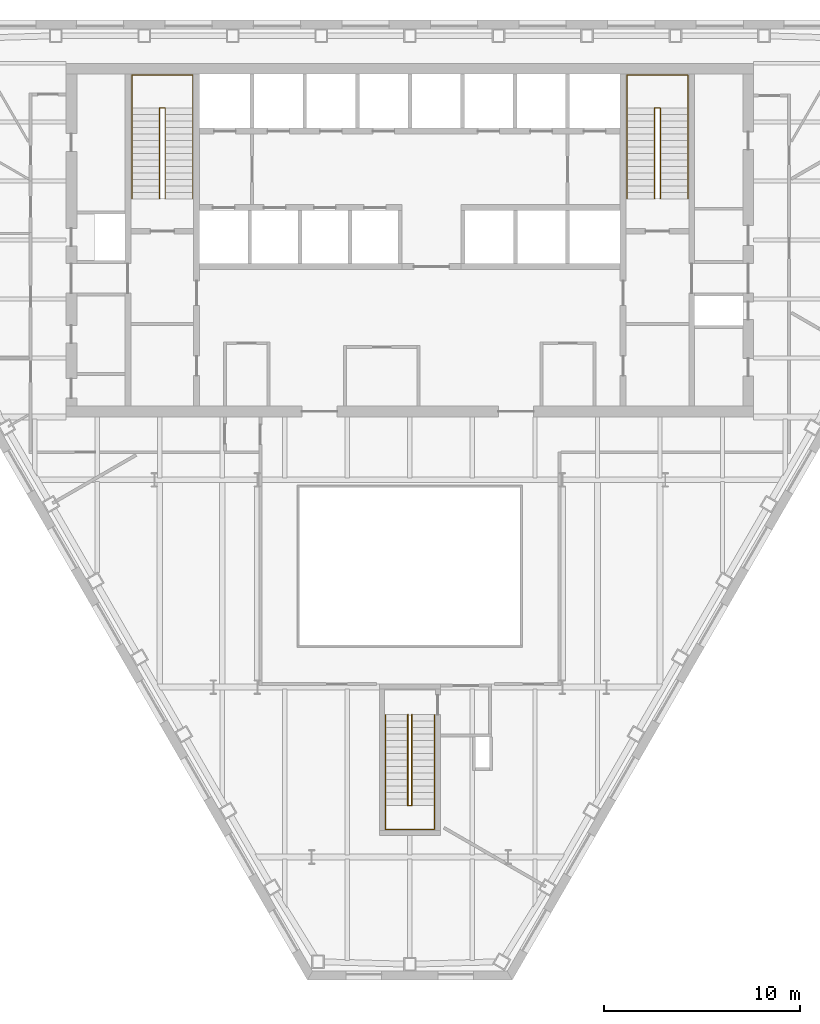
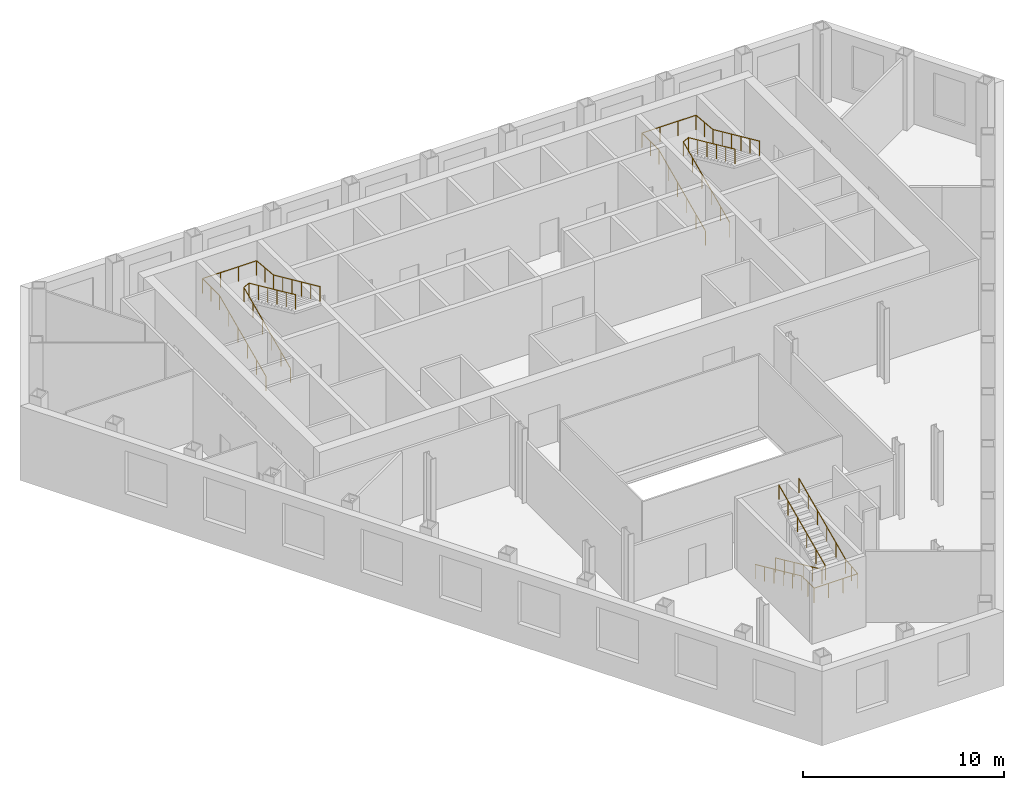
# One storey, part 11 of 11: 6 railings.
"""IFC4 building model written with IfcOpenShell, lengths in metres."""

from ifc_helpers import new_model, si_unit, direction, frame, origin, origin_2d, place, context, subcontext, project, spatial, circle, extrude, material, type_object, element, save


model = new_model("IFC4")

# Units and contexts
model_context = context("Model", 3, precision=1e-05, world=origin(), true_north=direction((0.0, 1.0)))
body_context = subcontext(model_context, "Body", "Model", "MODEL_VIEW")
ifc_project = project(units=[si_unit("LENGTHUNIT", "METRE"), si_unit("AREAUNIT", "SQUARE_METRE"), si_unit("VOLUMEUNIT", "CUBIC_METRE"), si_unit("PLANEANGLEUNIT", "RADIAN"), si_unit("MASSUNIT", "GRAM", prefix="KILO")], contexts=[model_context])

# Site, building, storey
site_placement = place(None, origin())
site = spatial("IfcSite", under=ifc_project, at=site_placement, CompositionType="ELEMENT")
building_placement = place(site_placement, origin())
building = spatial("IfcBuilding", under=site, at=building_placement, Name="Njiva Tower", CompositionType="ELEMENT")
storey_placement = place(building_placement, frame((0.0, 0.0, 88.8)))
storey = spatial("IfcBuildingStorey", under=building, at=storey_placement, Name="L18", CompositionType="ELEMENT", Elevation=88.8)

# Railings
ifc_material = material(Name="Stainless steel", Category="steel")
railing_type = type_object("IfcRailingType", Name="RL1 Stair handrail 900", PredefinedType="HANDRAIL", material=ifc_material)
railing_1_placement = place(storey_placement, frame((-14.15, 11.1, 0.15)))
element("IfcRailing", 1, at=railing_1_placement, inside=storey, type_object=railing_type, Name="Stair A handrail", PredefinedType="HANDRAIL", context=body_context, shape_type="SweptSolid", body=[
    extrude(circle(Radius=0.024, at=origin_2d()), frame((0.0, 0.0, 0.876), z_axis=(0.0, 0.910366477463, 0.413802944301), x_axis=(-1.0, 0.0, 0.0)), (0.0, 0.0, 1.0), 5.0749),
    extrude(circle(Radius=0.024, at=origin_2d()), frame((0.0, 4.62, 2.976), z_axis=(0.0, 1.0, 0.0), x_axis=(-1.0, 0.0, 0.0)), (0.0, 0.0, 1.0), 1.68),
    extrude(circle(Radius=0.024, at=origin_2d()), frame((0.0, 6.3, 2.976), z_axis=(1.0, 0.0, 0.0), x_axis=(0.0, 1.0, 0.0)), (0.0, 0.0, 1.0), 3.1),
    extrude(circle(Radius=0.024, at=origin_2d()), frame((3.1, 6.3, 2.976), z_axis=(0.0, -0.996037705314, 0.088931937975), x_axis=(1.0, 0.0, 0.0)), (0.0, 0.0, 1.0), 1.6867),
    extrude(circle(Radius=0.024, at=origin_2d()), frame((3.1, 4.62, 3.126), z_axis=(0.0, -0.910366477463, 0.413802944301), x_axis=(1.0, 0.0, 0.0)), (0.0, 0.0, 1.0), 5.0749),
    extrude(circle(Radius=0.021, at=origin_2d()), origin(), (0.0, 0.0, 1.0), 0.852),
    extrude(circle(Radius=0.021, at=origin_2d()), frame((0.0, 0.924, 0.42)), (0.0, 0.0, 1.0), 0.852),
    extrude(circle(Radius=0.021, at=origin_2d()), frame((0.0, 1.848, 0.84)), (0.0, 0.0, 1.0), 0.852),
    extrude(circle(Radius=0.021, at=origin_2d()), frame((0.0, 2.772, 1.26)), (0.0, 0.0, 1.0), 0.852),
    extrude(circle(Radius=0.021, at=origin_2d()), frame((0.0, 3.696, 1.68)), (0.0, 0.0, 1.0), 0.852),
    extrude(circle(Radius=0.021, at=origin_2d()), frame((0.0, 4.62, 2.1)), (0.0, 0.0, 1.0), 0.852),
    extrude(circle(Radius=0.021, at=origin_2d()), frame((0.0, 5.46, 2.1)), (0.0, 0.0, 1.0), 0.852),
    extrude(circle(Radius=0.021, at=origin_2d()), frame((0.0, 6.3, 2.1)), (0.0, 0.0, 1.0), 0.852),
    extrude(circle(Radius=0.021, at=origin_2d()), frame((1.0333, 6.3, 2.1)), (0.0, 0.0, 1.0), 0.852),
    extrude(circle(Radius=0.021, at=origin_2d()), frame((2.0667, 6.3, 2.1)), (0.0, 0.0, 1.0), 0.852),
    extrude(circle(Radius=0.021, at=origin_2d()), frame((3.1, 6.3, 2.1)), (0.0, 0.0, 1.0), 0.852),
    extrude(circle(Radius=0.021, at=origin_2d()), frame((3.1, 5.46, 2.175)), (0.0, 0.0, 1.0), 0.852),
    extrude(circle(Radius=0.021, at=origin_2d()), frame((3.1, 4.62, 2.25)), (0.0, 0.0, 1.0), 0.852),
    extrude(circle(Radius=0.021, at=origin_2d()), frame((3.1, 3.696, 2.67)), (0.0, 0.0, 1.0), 0.852),
    extrude(circle(Radius=0.021, at=origin_2d()), frame((3.1, 2.772, 3.09)), (0.0, 0.0, 1.0), 0.852),
    extrude(circle(Radius=0.021, at=origin_2d()), frame((3.1, 1.848, 3.51)), (0.0, 0.0, 1.0), 0.852),
    extrude(circle(Radius=0.021, at=origin_2d()), frame((3.1, 0.924, 3.93)), (0.0, 0.0, 1.0), 0.852),
    extrude(circle(Radius=0.021, at=origin_2d()), frame((3.1, 0.0, 4.35)), (0.0, 0.0, 1.0), 0.852),
])
railing_2_placement = place(storey_placement, frame((-12.75, 11.1, 0.15)))
element("IfcRailing", 2, at=railing_2_placement, inside=storey, type_object=railing_type, Name="Stair A handrail", PredefinedType="HANDRAIL", context=body_context, shape_type="SweptSolid", body=[
    extrude(circle(Radius=0.024, at=origin_2d()), frame((0.0, 0.0, 0.876), z_axis=(0.0, 0.910366477463, 0.413802944301), x_axis=(-1.0, 0.0, 0.0)), (0.0, 0.0, 1.0), 5.0749),
    extrude(circle(Radius=0.024, at=origin_2d()), frame((0.0, 4.62, 2.976), z_axis=(0.894427191, 0.0, 0.4472135955), x_axis=(0.0, 1.0, 0.0)), (0.0, 0.0, 1.0), 0.3354),
    extrude(circle(Radius=0.024, at=origin_2d()), frame((0.3, 4.62, 3.126), z_axis=(0.0, -0.910366477463, 0.413802944301), x_axis=(1.0, 0.0, 0.0)), (0.0, 0.0, 1.0), 5.0749),
    extrude(circle(Radius=0.021, at=origin_2d()), origin(), (0.0, 0.0, 1.0), 0.852),
    extrude(circle(Radius=0.021, at=origin_2d()), frame((0.0, 0.924, 0.42)), (0.0, 0.0, 1.0), 0.852),
    extrude(circle(Radius=0.021, at=origin_2d()), frame((0.0, 1.848, 0.84)), (0.0, 0.0, 1.0), 0.852),
    extrude(circle(Radius=0.021, at=origin_2d()), frame((0.0, 2.772, 1.26)), (0.0, 0.0, 1.0), 0.852),
    extrude(circle(Radius=0.021, at=origin_2d()), frame((0.0, 3.696, 1.68)), (0.0, 0.0, 1.0), 0.852),
    extrude(circle(Radius=0.021, at=origin_2d()), frame((0.0, 4.62, 2.1)), (0.0, 0.0, 1.0), 0.852),
    extrude(circle(Radius=0.021, at=origin_2d()), frame((0.3, 4.62, 2.25)), (0.0, 0.0, 1.0), 0.852),
    extrude(circle(Radius=0.021, at=origin_2d()), frame((0.3, 3.696, 2.67)), (0.0, 0.0, 1.0), 0.852),
    extrude(circle(Radius=0.021, at=origin_2d()), frame((0.3, 2.772, 3.09)), (0.0, 0.0, 1.0), 0.852),
    extrude(circle(Radius=0.021, at=origin_2d()), frame((0.3, 1.848, 3.51)), (0.0, 0.0, 1.0), 0.852),
    extrude(circle(Radius=0.021, at=origin_2d()), frame((0.3, 0.924, 3.93)), (0.0, 0.0, 1.0), 0.852),
    extrude(circle(Radius=0.021, at=origin_2d()), frame((0.3, 0.0, 4.35)), (0.0, 0.0, 1.0), 0.852),
])
railing_3_placement = place(storey_placement, frame((11.05, 11.1, 0.15)))
element("IfcRailing", 3, at=railing_3_placement, inside=storey, type_object=railing_type, Name="Stair B handrail", PredefinedType="HANDRAIL", context=body_context, shape_type="SweptSolid", body=[
    extrude(circle(Radius=0.024, at=origin_2d()), frame((0.0, 0.0, 0.876), z_axis=(0.0, 0.910366477463, 0.413802944301), x_axis=(-1.0, 0.0, 0.0)), (0.0, 0.0, 1.0), 5.0749),
    extrude(circle(Radius=0.024, at=origin_2d()), frame((0.0, 4.62, 2.976), z_axis=(0.0, 1.0, 0.0), x_axis=(-1.0, 0.0, 0.0)), (0.0, 0.0, 1.0), 1.68),
    extrude(circle(Radius=0.024, at=origin_2d()), frame((0.0, 6.3, 2.976), z_axis=(1.0, 0.0, 0.0), x_axis=(0.0, 1.0, 0.0)), (0.0, 0.0, 1.0), 3.1),
    extrude(circle(Radius=0.024, at=origin_2d()), frame((3.1, 6.3, 2.976), z_axis=(0.0, -0.996037705314, 0.088931937975), x_axis=(1.0, 0.0, 0.0)), (0.0, 0.0, 1.0), 1.6867),
    extrude(circle(Radius=0.024, at=origin_2d()), frame((3.1, 4.62, 3.126), z_axis=(0.0, -0.910366477463, 0.413802944301), x_axis=(1.0, 0.0, 0.0)), (0.0, 0.0, 1.0), 5.0749),
    extrude(circle(Radius=0.021, at=origin_2d()), origin(), (0.0, 0.0, 1.0), 0.852),
    extrude(circle(Radius=0.021, at=origin_2d()), frame((0.0, 0.924, 0.42)), (0.0, 0.0, 1.0), 0.852),
    extrude(circle(Radius=0.021, at=origin_2d()), frame((0.0, 1.848, 0.84)), (0.0, 0.0, 1.0), 0.852),
    extrude(circle(Radius=0.021, at=origin_2d()), frame((0.0, 2.772, 1.26)), (0.0, 0.0, 1.0), 0.852),
    extrude(circle(Radius=0.021, at=origin_2d()), frame((0.0, 3.696, 1.68)), (0.0, 0.0, 1.0), 0.852),
    extrude(circle(Radius=0.021, at=origin_2d()), frame((0.0, 4.62, 2.1)), (0.0, 0.0, 1.0), 0.852),
    extrude(circle(Radius=0.021, at=origin_2d()), frame((0.0, 5.46, 2.1)), (0.0, 0.0, 1.0), 0.852),
    extrude(circle(Radius=0.021, at=origin_2d()), frame((0.0, 6.3, 2.1)), (0.0, 0.0, 1.0), 0.852),
    extrude(circle(Radius=0.021, at=origin_2d()), frame((1.0333, 6.3, 2.1)), (0.0, 0.0, 1.0), 0.852),
    extrude(circle(Radius=0.021, at=origin_2d()), frame((2.0667, 6.3, 2.1)), (0.0, 0.0, 1.0), 0.852),
    extrude(circle(Radius=0.021, at=origin_2d()), frame((3.1, 6.3, 2.1)), (0.0, 0.0, 1.0), 0.852),
    extrude(circle(Radius=0.021, at=origin_2d()), frame((3.1, 5.46, 2.175)), (0.0, 0.0, 1.0), 0.852),
    extrude(circle(Radius=0.021, at=origin_2d()), frame((3.1, 4.62, 2.25)), (0.0, 0.0, 1.0), 0.852),
    extrude(circle(Radius=0.021, at=origin_2d()), frame((3.1, 3.696, 2.67)), (0.0, 0.0, 1.0), 0.852),
    extrude(circle(Radius=0.021, at=origin_2d()), frame((3.1, 2.772, 3.09)), (0.0, 0.0, 1.0), 0.852),
    extrude(circle(Radius=0.021, at=origin_2d()), frame((3.1, 1.848, 3.51)), (0.0, 0.0, 1.0), 0.852),
    extrude(circle(Radius=0.021, at=origin_2d()), frame((3.1, 0.924, 3.93)), (0.0, 0.0, 1.0), 0.852),
    extrude(circle(Radius=0.021, at=origin_2d()), frame((3.1, 0.0, 4.35)), (0.0, 0.0, 1.0), 0.852),
])
railing_4_placement = place(storey_placement, frame((12.45, 11.1, 0.15)))
element("IfcRailing", 4, at=railing_4_placement, inside=storey, type_object=railing_type, Name="Stair B handrail", PredefinedType="HANDRAIL", context=body_context, shape_type="SweptSolid", body=[
    extrude(circle(Radius=0.024, at=origin_2d()), frame((0.0, 0.0, 0.876), z_axis=(0.0, 0.910366477463, 0.413802944301), x_axis=(-1.0, 0.0, 0.0)), (0.0, 0.0, 1.0), 5.0749),
    extrude(circle(Radius=0.024, at=origin_2d()), frame((0.0, 4.62, 2.976), z_axis=(0.894427191, 0.0, 0.4472135955), x_axis=(0.0, 1.0, 0.0)), (0.0, 0.0, 1.0), 0.3354),
    extrude(circle(Radius=0.024, at=origin_2d()), frame((0.3, 4.62, 3.126), z_axis=(0.0, -0.910366477463, 0.413802944301), x_axis=(1.0, 0.0, 0.0)), (0.0, 0.0, 1.0), 5.0749),
    extrude(circle(Radius=0.021, at=origin_2d()), origin(), (0.0, 0.0, 1.0), 0.852),
    extrude(circle(Radius=0.021, at=origin_2d()), frame((0.0, 0.924, 0.42)), (0.0, 0.0, 1.0), 0.852),
    extrude(circle(Radius=0.021, at=origin_2d()), frame((0.0, 1.848, 0.84)), (0.0, 0.0, 1.0), 0.852),
    extrude(circle(Radius=0.021, at=origin_2d()), frame((0.0, 2.772, 1.26)), (0.0, 0.0, 1.0), 0.852),
    extrude(circle(Radius=0.021, at=origin_2d()), frame((0.0, 3.696, 1.68)), (0.0, 0.0, 1.0), 0.852),
    extrude(circle(Radius=0.021, at=origin_2d()), frame((0.0, 4.62, 2.1)), (0.0, 0.0, 1.0), 0.852),
    extrude(circle(Radius=0.021, at=origin_2d()), frame((0.3, 4.62, 2.25)), (0.0, 0.0, 1.0), 0.852),
    extrude(circle(Radius=0.021, at=origin_2d()), frame((0.3, 3.696, 2.67)), (0.0, 0.0, 1.0), 0.852),
    extrude(circle(Radius=0.021, at=origin_2d()), frame((0.3, 2.772, 3.09)), (0.0, 0.0, 1.0), 0.852),
    extrude(circle(Radius=0.021, at=origin_2d()), frame((0.3, 1.848, 3.51)), (0.0, 0.0, 1.0), 0.852),
    extrude(circle(Radius=0.021, at=origin_2d()), frame((0.3, 0.924, 3.93)), (0.0, 0.0, 1.0), 0.852),
    extrude(circle(Radius=0.021, at=origin_2d()), frame((0.3, 0.0, 4.35)), (0.0, 0.0, 1.0), 0.852),
])
railing_5_placement = place(storey_placement, frame((-1.25, -15.16, 0.15)))
element("IfcRailing", 5, at=railing_5_placement, inside=storey, type_object=railing_type, Name="Stair C handrail", PredefinedType="HANDRAIL", context=body_context, shape_type="SweptSolid", body=[
    extrude(circle(Radius=0.024, at=origin_2d()), frame((0.0, 0.0, 0.876), z_axis=(0.0, -0.910366477463, 0.413802944301), x_axis=(1.0, 0.0, 0.0)), (0.0, 0.0, 1.0), 5.0749),
    extrude(circle(Radius=0.024, at=origin_2d()), frame((0.0, -4.62, 2.976), z_axis=(0.0, -1.0, 0.0), x_axis=(1.0, 0.0, 0.0)), (0.0, 0.0, 1.0), 1.22),
    extrude(circle(Radius=0.024, at=origin_2d()), frame((0.0, -5.84, 2.976), z_axis=(1.0, 0.0, 0.0), x_axis=(0.0, 1.0, 0.0)), (0.0, 0.0, 1.0), 2.5),
    extrude(circle(Radius=0.024, at=origin_2d()), frame((2.5, -5.84, 2.976), z_axis=(0.0, 0.992526177815, 0.122031907108), x_axis=(-1.0, 0.0, 0.0)), (0.0, 0.0, 1.0), 1.2292),
    extrude(circle(Radius=0.024, at=origin_2d()), frame((2.5, -4.62, 3.126), z_axis=(0.0, 0.910366477463, 0.413802944301), x_axis=(-1.0, 0.0, 0.0)), (0.0, 0.0, 1.0), 5.0749),
    extrude(circle(Radius=0.021, at=origin_2d()), origin(), (0.0, 0.0, 1.0), 0.852),
    extrude(circle(Radius=0.021, at=origin_2d()), frame((0.0, -0.924, 0.42)), (0.0, 0.0, 1.0), 0.852),
    extrude(circle(Radius=0.021, at=origin_2d()), frame((0.0, -1.848, 0.84)), (0.0, 0.0, 1.0), 0.852),
    extrude(circle(Radius=0.021, at=origin_2d()), frame((0.0, -2.772, 1.26)), (0.0, 0.0, 1.0), 0.852),
    extrude(circle(Radius=0.021, at=origin_2d()), frame((0.0, -3.696, 1.68)), (0.0, 0.0, 1.0), 0.852),
    extrude(circle(Radius=0.021, at=origin_2d()), frame((0.0, -4.62, 2.1)), (0.0, 0.0, 1.0), 0.852),
    extrude(circle(Radius=0.021, at=origin_2d()), frame((0.0, -5.23, 2.1)), (0.0, 0.0, 1.0), 0.852),
    extrude(circle(Radius=0.021, at=origin_2d()), frame((0.0, -5.84, 2.1)), (0.0, 0.0, 1.0), 0.852),
    extrude(circle(Radius=0.021, at=origin_2d()), frame((0.8333, -5.84, 2.1)), (0.0, 0.0, 1.0), 0.852),
    extrude(circle(Radius=0.021, at=origin_2d()), frame((1.6667, -5.84, 2.1)), (0.0, 0.0, 1.0), 0.852),
    extrude(circle(Radius=0.021, at=origin_2d()), frame((2.5, -5.84, 2.1)), (0.0, 0.0, 1.0), 0.852),
    extrude(circle(Radius=0.021, at=origin_2d()), frame((2.5, -5.23, 2.175)), (0.0, 0.0, 1.0), 0.852),
    extrude(circle(Radius=0.021, at=origin_2d()), frame((2.5, -4.62, 2.25)), (0.0, 0.0, 1.0), 0.852),
    extrude(circle(Radius=0.021, at=origin_2d()), frame((2.5, -3.696, 2.67)), (0.0, 0.0, 1.0), 0.852),
    extrude(circle(Radius=0.021, at=origin_2d()), frame((2.5, -2.772, 3.09)), (0.0, 0.0, 1.0), 0.852),
    extrude(circle(Radius=0.021, at=origin_2d()), frame((2.5, -1.848, 3.51)), (0.0, 0.0, 1.0), 0.852),
    extrude(circle(Radius=0.021, at=origin_2d()), frame((2.5, -0.924, 3.93)), (0.0, 0.0, 1.0), 0.852),
    extrude(circle(Radius=0.021, at=origin_2d()), frame((2.5, 0.0, 4.35)), (0.0, 0.0, 1.0), 0.852),
])
railing_6_placement = place(storey_placement, frame((-0.1, -15.16, 0.15)))
element("IfcRailing", 6, at=railing_6_placement, inside=storey, type_object=railing_type, Name="Stair C handrail", PredefinedType="HANDRAIL", context=body_context, shape_type="SweptSolid", body=[
    extrude(circle(Radius=0.024, at=origin_2d()), frame((0.0, 0.0, 0.876), z_axis=(0.0, -0.910366477463, 0.413802944301), x_axis=(1.0, 0.0, 0.0)), (0.0, 0.0, 1.0), 5.0749),
    extrude(circle(Radius=0.024, at=origin_2d()), frame((0.0, -4.62, 2.976), z_axis=(0.8, 0.0, 0.6), x_axis=(0.0, 1.0, 0.0)), (0.0, 0.0, 1.0), 0.25),
    extrude(circle(Radius=0.024, at=origin_2d()), frame((0.2, -4.62, 3.126), z_axis=(0.0, 0.910366477463, 0.413802944301), x_axis=(-1.0, 0.0, 0.0)), (0.0, 0.0, 1.0), 5.0749),
    extrude(circle(Radius=0.021, at=origin_2d()), origin(), (0.0, 0.0, 1.0), 0.852),
    extrude(circle(Radius=0.021, at=origin_2d()), frame((0.0, -0.924, 0.42)), (0.0, 0.0, 1.0), 0.852),
    extrude(circle(Radius=0.021, at=origin_2d()), frame((0.0, -1.848, 0.84)), (0.0, 0.0, 1.0), 0.852),
    extrude(circle(Radius=0.021, at=origin_2d()), frame((0.0, -2.772, 1.26)), (0.0, 0.0, 1.0), 0.852),
    extrude(circle(Radius=0.021, at=origin_2d()), frame((0.0, -3.696, 1.68)), (0.0, 0.0, 1.0), 0.852),
    extrude(circle(Radius=0.021, at=origin_2d()), frame((0.0, -4.62, 2.1)), (0.0, 0.0, 1.0), 0.852),
    extrude(circle(Radius=0.021, at=origin_2d()), frame((0.2, -4.62, 2.25)), (0.0, 0.0, 1.0), 0.852),
    extrude(circle(Radius=0.021, at=origin_2d()), frame((0.2, -3.696, 2.67)), (0.0, 0.0, 1.0), 0.852),
    extrude(circle(Radius=0.021, at=origin_2d()), frame((0.2, -2.772, 3.09)), (0.0, 0.0, 1.0), 0.852),
    extrude(circle(Radius=0.021, at=origin_2d()), frame((0.2, -1.848, 3.51)), (0.0, 0.0, 1.0), 0.852),
    extrude(circle(Radius=0.021, at=origin_2d()), frame((0.2, -0.924, 3.93)), (0.0, 0.0, 1.0), 0.852),
    extrude(circle(Radius=0.021, at=origin_2d()), frame((0.2, 0.0, 4.35)), (0.0, 0.0, 1.0), 0.852),
])

save(model, "model.ifc")
